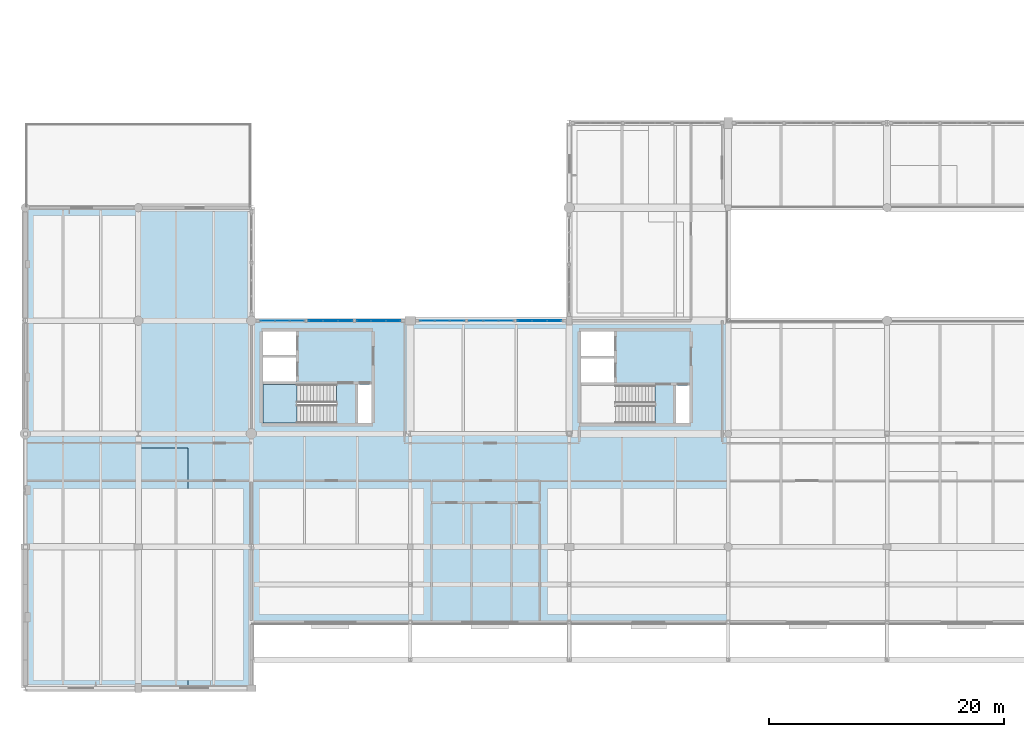
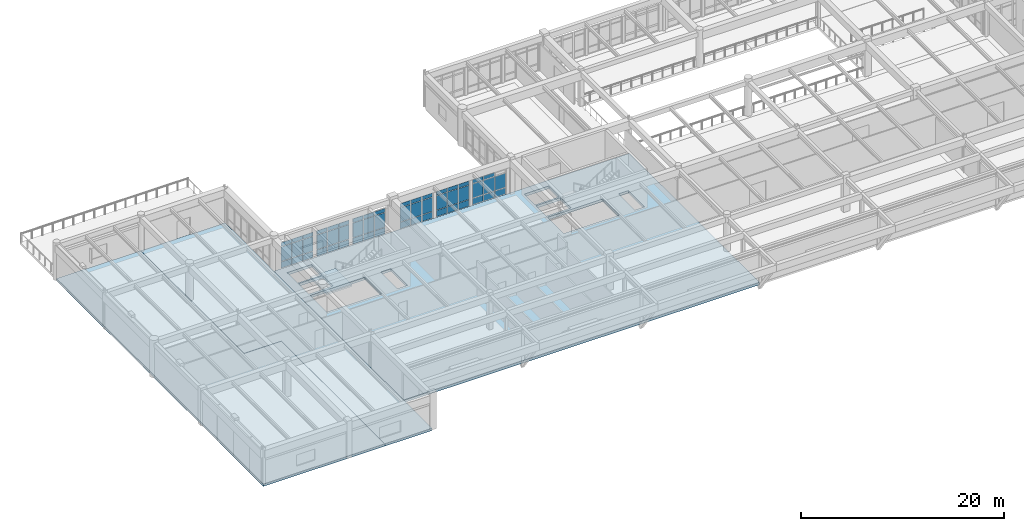
# One storey, part 51 of 80: 53 plates, 4 slabs, 7 elements without a shape of their own.
"""IFC4 building model written with IfcOpenShell, lengths in metres."""

from ifc_helpers import new_model, si_unit, direction, frame, origin, origin_2d, place, context, subcontext, project, spatial, polyline, rectangle, outline, extrude, material, layer, layer_set, type_object, element, aggregate, save


model = new_model("IFC4")

# Units and contexts
model_context = context("Model", 3, precision=1e-05, world=origin(), true_north=direction((0.0, 1.0)))
body_context = subcontext(model_context, "Body", "Model", "MODEL_VIEW")
ifc_project = project(units=[si_unit("LENGTHUNIT", "METRE"), si_unit("AREAUNIT", "SQUARE_METRE"), si_unit("VOLUMEUNIT", "CUBIC_METRE"), si_unit("PLANEANGLEUNIT", "RADIAN"), si_unit("MASSUNIT", "GRAM", prefix="KILO")], contexts=[model_context])

# Site, building, storey
site_placement = place(None, origin())
site = spatial("IfcSite", under=ifc_project, at=site_placement, CompositionType="ELEMENT")
building_placement = place(site_placement, origin())
building = spatial("IfcBuilding", under=site, at=building_placement, Name="Fikremerkos Civic Library", CompositionType="ELEMENT")
storey_placement = place(building_placement, frame((0.0, 0.0, 9.89990234375)))
storey = spatial("IfcBuildingStorey", under=building, at=storey_placement, Name="L02", CompositionType="ELEMENT", Elevation=9.89990234375)

# Curtain wall, plates
ifc_material_1 = material(Name="Anodized aluminium Frame", Category="aluminium")
ifc_layer_1 = layer(ifc_material_1, 0.159912109375, Name="Anodized aluminium Frame")
ifc_layer_set_1 = layer_set([ifc_layer_1], Name="Anodized aluminium Frame")
curtain_wall_type_1 = type_object("IfcCurtainWallType", Name="Unitised curtain wall CW-05 3800x4100", PredefinedType="USERDEFINED", material=ifc_layer_set_1)
curtain_wall_1_placement = place(storey_placement, origin())
curtain_wall_1 = element("IfcCurtainWall", 1, at=curtain_wall_1_placement, inside=storey, type_object=curtain_wall_type_1, Name="Unitised curtain wall CW-05 L02 #149", ObjectType="UNITISED CURTAIN WALL", PredefinedType="USERDEFINED")
ifc_material_2 = material(Name="Solar control double glazing", Category="glass")
ifc_layer_2 = layer(ifc_material_2, 0.028076171875, Name="Solar control double glazing")
ifc_layer_set_2 = layer_set([ifc_layer_2], Name="Solar control double glazing")
plate_type_1 = type_object("IfcPlateType", Name="Curtain glazing panel CWP-01 28", PredefinedType="CURTAIN_PANEL", material=ifc_layer_set_2)
plate_1_placement = place(storey_placement, frame((34.1533203125, 31.199951171875, 0.06005859375), z_axis=(0.0, 0.0, 1.0), x_axis=(1.0, 0.0, 0.0)))
plate_1 = element("IfcPlate", 2, at=plate_1_placement, type_object=plate_type_1, Name="CW-05 panel 1.1", PredefinedType="CURTAIN_PANEL", context=body_context, shape_type="SweptSolid", body=[
    extrude(rectangle(XDim=1.1806640625, YDim=0.028076171875, at=origin_2d()), origin(), (0.0, 0.0, 1.0), 0.760009765625),
])
plate_2_placement = place(storey_placement, frame((34.1533203125, 31.199951171875, 0.880126953125), z_axis=(0.0, 0.0, 1.0), x_axis=(1.0, 0.0, 0.0)))
plate_2 = element("IfcPlate", 3, at=plate_2_placement, type_object=plate_type_1, Name="CW-05 panel 1.2", PredefinedType="CURTAIN_PANEL", context=body_context, shape_type="SweptSolid", body=[
    extrude(rectangle(XDim=1.1806640625, YDim=0.028076171875, at=origin_2d()), origin(), (0.0, 0.0, 1.0), 1.68994140625),
])
plate_3_placement = place(storey_placement, frame((34.1533203125, 31.199951171875, 2.630126953125), z_axis=(0.0, 0.0, 1.0), x_axis=(1.0, 0.0, 0.0)))
plate_3 = element("IfcPlate", 4, at=plate_3_placement, type_object=plate_type_1, Name="CW-05 panel 1.3", PredefinedType="CURTAIN_PANEL", context=body_context, shape_type="SweptSolid", body=[
    extrude(rectangle(XDim=1.1806640625, YDim=0.028076171875, at=origin_2d()), origin(), (0.0, 0.0, 1.0), 0.4599609375),
])
plate_4_placement = place(storey_placement, frame((35.415283203125, 31.199951171875, 0.06005859375), z_axis=(0.0, 0.0, 1.0), x_axis=(1.0, 0.0, 0.0)))
plate_4 = element("IfcPlate", 5, at=plate_4_placement, type_object=plate_type_1, Name="CW-05 panel 2.1", PredefinedType="CURTAIN_PANEL", context=body_context, shape_type="SweptSolid", body=[
    extrude(rectangle(XDim=1.213134765625, YDim=0.028076171875, at=origin_2d()), origin(), (0.0, 0.0, 1.0), 0.760009765625),
])
plate_5_placement = place(storey_placement, frame((35.415283203125, 31.199951171875, 0.880126953125), z_axis=(0.0, 0.0, 1.0), x_axis=(1.0, 0.0, 0.0)))
plate_5 = element("IfcPlate", 6, at=plate_5_placement, type_object=plate_type_1, Name="CW-05 panel 2.2", PredefinedType="CURTAIN_PANEL", context=body_context, shape_type="SweptSolid", body=[
    extrude(rectangle(XDim=1.213134765625, YDim=0.028076171875, at=origin_2d()), origin(), (0.0, 0.0, 1.0), 1.68994140625),
])
plate_6_placement = place(storey_placement, frame((35.415283203125, 31.199951171875, 2.630126953125), z_axis=(0.0, 0.0, 1.0), x_axis=(1.0, 0.0, 0.0)))
plate_6 = element("IfcPlate", 7, at=plate_6_placement, type_object=plate_type_1, Name="CW-05 panel 2.3", PredefinedType="CURTAIN_PANEL", context=body_context, shape_type="SweptSolid", body=[
    extrude(rectangle(XDim=1.213134765625, YDim=0.028076171875, at=origin_2d()), origin(), (0.0, 0.0, 1.0), 0.4599609375),
])
plate_7_placement = place(storey_placement, frame((36.67724609375, 31.199951171875, 0.06005859375), z_axis=(0.0, 0.0, 1.0), x_axis=(1.0, 0.0, 0.0)))
plate_7 = element("IfcPlate", 8, at=plate_7_placement, type_object=plate_type_1, Name="CW-05 panel 3.1", PredefinedType="CURTAIN_PANEL", context=body_context, shape_type="SweptSolid", body=[
    extrude(rectangle(XDim=1.1806640625, YDim=0.028076171875, at=origin_2d()), origin(), (0.0, 0.0, 1.0), 0.760009765625),
])
plate_8_placement = place(storey_placement, frame((36.67724609375, 31.199951171875, 0.880126953125), z_axis=(0.0, 0.0, 1.0), x_axis=(1.0, 0.0, 0.0)))
plate_8 = element("IfcPlate", 9, at=plate_8_placement, type_object=plate_type_1, Name="CW-05 panel 3.2", PredefinedType="CURTAIN_PANEL", context=body_context, shape_type="SweptSolid", body=[
    extrude(rectangle(XDim=1.1806640625, YDim=0.028076171875, at=origin_2d()), origin(), (0.0, 0.0, 1.0), 1.68994140625),
])
plate_9_placement = place(storey_placement, frame((36.67724609375, 31.199951171875, 2.630126953125), z_axis=(0.0, 0.0, 1.0), x_axis=(1.0, 0.0, 0.0)))
plate_9 = element("IfcPlate", 10, at=plate_9_placement, type_object=plate_type_1, Name="CW-05 panel 3.3", PredefinedType="CURTAIN_PANEL", context=body_context, shape_type="SweptSolid", body=[
    extrude(rectangle(XDim=1.1806640625, YDim=0.028076171875, at=origin_2d()), origin(), (0.0, 0.0, 1.0), 0.4599609375),
])
aggregate(curtain_wall_1, [plate_1, plate_2, plate_3, plate_4, plate_5, plate_6, plate_7, plate_8, plate_9])

ifc_layer_3 = layer(ifc_material_1, 0.159912109375, Name="Anodized aluminium Frame")
ifc_layer_set_3 = layer_set([ifc_layer_3], Name="Anodized aluminium Frame")
curtain_wall_type_2 = type_object("IfcCurtainWallType", Name="Unitised curtain wall CW-02 3900x3600", PredefinedType="USERDEFINED", material=ifc_layer_set_3)
curtain_wall_2_placement = place(storey_placement, origin())
curtain_wall_2 = element("IfcCurtainWall", 11, at=curtain_wall_2_placement, inside=storey, type_object=curtain_wall_type_2, Name="Unitised curtain wall CW-02 L02 #146", ObjectType="UNITISED CURTAIN WALL", PredefinedType="USERDEFINED")
ifc_layer_4 = layer(ifc_material_2, 0.035888671875, Name="Solar control double glazing")
ifc_layer_set_4 = layer_set([ifc_layer_4], Name="Solar control double glazing")
plate_type_2 = type_object("IfcPlateType", Name="Curtain glazing panel CWP-02 36", PredefinedType="CURTAIN_PANEL", material=ifc_layer_set_4)
plate_10_placement = place(storey_placement, frame((20.59375, 31.199951171875, 0.070068359375), z_axis=(0.0, 0.0, 1.0), x_axis=(1.0, 0.0, 0.0)))
plate_10 = element("IfcPlate", 12, at=plate_10_placement, type_object=plate_type_2, Name="CW-02 panel 1.1", PredefinedType="CURTAIN_PANEL", context=body_context, shape_type="SweptSolid", body=[
    extrude(rectangle(XDim=1.171630859375, YDim=0.035888671875, at=origin_2d()), origin(), (0.0, 0.0, 1.0), 0.7451171875),
])
plate_11_placement = place(storey_placement, frame((20.59375, 31.199951171875, 0.885009765625), z_axis=(0.0, 0.0, 1.0), x_axis=(1.0, 0.0, 0.0)))
plate_11 = element("IfcPlate", 13, at=plate_11_placement, type_object=plate_type_2, Name="CW-02 panel 1.2", PredefinedType="CURTAIN_PANEL", context=body_context, shape_type="SweptSolid", body=[
    extrude(rectangle(XDim=1.171630859375, YDim=0.035888671875, at=origin_2d()), origin(), (0.0, 0.0, 1.0), 1.72998046875),
])
plate_12_placement = place(storey_placement, frame((20.59375, 31.199951171875, 2.68505859375), z_axis=(0.0, 0.0, 1.0), x_axis=(1.0, 0.0, 0.0)))
plate_12 = element("IfcPlate", 14, at=plate_12_placement, type_object=plate_type_2, Name="CW-02 panel 1.3", PredefinedType="CURTAIN_PANEL", context=body_context, shape_type="SweptSolid", body=[
    extrude(rectangle(XDim=1.171630859375, YDim=0.035888671875, at=origin_2d()), origin(), (0.0, 0.0, 1.0), 0.445068359375),
])
plate_13_placement = place(storey_placement, frame((21.84033203125, 31.199951171875, 0.070068359375), z_axis=(0.0, 0.0, 1.0), x_axis=(1.0, 0.0, 0.0)))
plate_13 = element("IfcPlate", 15, at=plate_13_placement, type_object=plate_type_2, Name="CW-02 panel 2.1", PredefinedType="CURTAIN_PANEL", context=body_context, shape_type="SweptSolid", body=[
    extrude(rectangle(XDim=1.20166015625, YDim=0.035888671875, at=origin_2d()), origin(), (0.0, 0.0, 1.0), 0.7451171875),
])
plate_14_placement = place(storey_placement, frame((21.84033203125, 31.199951171875, 0.885009765625), z_axis=(0.0, 0.0, 1.0), x_axis=(1.0, 0.0, 0.0)))
plate_14 = element("IfcPlate", 16, at=plate_14_placement, type_object=plate_type_2, Name="CW-02 panel 2.2", PredefinedType="CURTAIN_PANEL", context=body_context, shape_type="SweptSolid", body=[
    extrude(rectangle(XDim=1.20166015625, YDim=0.035888671875, at=origin_2d()), origin(), (0.0, 0.0, 1.0), 1.72998046875),
])
plate_15_placement = place(storey_placement, frame((21.84033203125, 31.199951171875, 2.68505859375), z_axis=(0.0, 0.0, 1.0), x_axis=(1.0, 0.0, 0.0)))
plate_15 = element("IfcPlate", 17, at=plate_15_placement, type_object=plate_type_2, Name="CW-02 panel 2.3", PredefinedType="CURTAIN_PANEL", context=body_context, shape_type="SweptSolid", body=[
    extrude(rectangle(XDim=1.20166015625, YDim=0.035888671875, at=origin_2d()), origin(), (0.0, 0.0, 1.0), 0.445068359375),
])
plate_16_placement = place(storey_placement, frame((23.0869140625, 31.199951171875, 0.070068359375), z_axis=(0.0, 0.0, 1.0), x_axis=(1.0, 0.0, 0.0)))
plate_16 = element("IfcPlate", 18, at=plate_16_placement, type_object=plate_type_2, Name="CW-02 panel 3.1", PredefinedType="CURTAIN_PANEL", context=body_context, shape_type="SweptSolid", body=[
    extrude(rectangle(XDim=1.171630859375, YDim=0.035888671875, at=origin_2d()), origin(), (0.0, 0.0, 1.0), 0.7451171875),
])
plate_17_placement = place(storey_placement, frame((23.0869140625, 31.199951171875, 0.885009765625), z_axis=(0.0, 0.0, 1.0), x_axis=(1.0, 0.0, 0.0)))
plate_17 = element("IfcPlate", 19, at=plate_17_placement, type_object=plate_type_2, Name="CW-02 panel 3.2", PredefinedType="CURTAIN_PANEL", context=body_context, shape_type="SweptSolid", body=[
    extrude(rectangle(XDim=1.171630859375, YDim=0.035888671875, at=origin_2d()), origin(), (0.0, 0.0, 1.0), 1.72998046875),
])
plate_18_placement = place(storey_placement, frame((23.0869140625, 31.199951171875, 2.68505859375), z_axis=(0.0, 0.0, 1.0), x_axis=(1.0, 0.0, 0.0)))
plate_18 = element("IfcPlate", 20, at=plate_18_placement, type_object=plate_type_2, Name="CW-02 panel 3.3", PredefinedType="CURTAIN_PANEL", context=body_context, shape_type="SweptSolid", body=[
    extrude(rectangle(XDim=1.171630859375, YDim=0.035888671875, at=origin_2d()), origin(), (0.0, 0.0, 1.0), 0.445068359375),
])
aggregate(curtain_wall_2, [plate_10, plate_11, plate_12, plate_13, plate_14, plate_15, plate_16, plate_17, plate_18])

ifc_layer_5 = layer(ifc_material_1, 0.159912109375, Name="Anodized aluminium Frame")
ifc_layer_set_5 = layer_set([ifc_layer_5], Name="Anodized aluminium Frame")
curtain_wall_type_3 = type_object("IfcCurtainWallType", Name="Unitised curtain wall CW-06 4200x4100", PredefinedType="USERDEFINED", material=ifc_layer_set_5)
curtain_wall_3_placement = place(storey_placement, origin())
curtain_wall_3 = element("IfcCurtainWall", 21, at=curtain_wall_3_placement, inside=storey, type_object=curtain_wall_type_3, Name="Unitised curtain wall CW-06 L02 #150", ObjectType="UNITISED CURTAIN WALL", PredefinedType="USERDEFINED")
plate_19_placement = place(storey_placement, frame((38.286865234375, 31.199951171875, 0.06005859375), z_axis=(0.0, 0.0, 1.0), x_axis=(1.0, 0.0, 0.0)))
plate_19 = element("IfcPlate", 22, at=plate_19_placement, type_object=plate_type_2, Name="CW-06 panel 1.1", PredefinedType="CURTAIN_PANEL", context=body_context, shape_type="SweptSolid", body=[
    extrude(rectangle(XDim=1.188232421875, YDim=0.035888671875, at=origin_2d()), origin(), (0.0, 0.0, 1.0), 0.760009765625),
])
plate_20_placement = place(storey_placement, frame((38.286865234375, 31.199951171875, 0.880126953125), z_axis=(0.0, 0.0, 1.0), x_axis=(1.0, 0.0, 0.0)))
plate_20 = element("IfcPlate", 23, at=plate_20_placement, type_object=plate_type_2, Name="CW-06 panel 1.2", PredefinedType="CURTAIN_PANEL", context=body_context, shape_type="SweptSolid", body=[
    extrude(rectangle(XDim=1.188232421875, YDim=0.035888671875, at=origin_2d()), origin(), (0.0, 0.0, 1.0), 1.68994140625),
])
plate_21_placement = place(storey_placement, frame((38.286865234375, 31.199951171875, 2.630126953125), z_axis=(0.0, 0.0, 1.0), x_axis=(1.0, 0.0, 0.0)))
plate_21 = element("IfcPlate", 24, at=plate_21_placement, type_object=plate_type_2, Name="CW-06 panel 1.3", PredefinedType="CURTAIN_PANEL", context=body_context, shape_type="SweptSolid", body=[
    extrude(rectangle(XDim=1.188232421875, YDim=0.035888671875, at=origin_2d()), origin(), (0.0, 0.0, 1.0), 0.4599609375),
])
plate_22_placement = place(storey_placement, frame((39.550048828125, 31.199951171875, 0.06005859375), z_axis=(0.0, 0.0, 1.0), x_axis=(1.0, 0.0, 0.0)))
plate_22 = element("IfcPlate", 25, at=plate_22_placement, type_object=plate_type_2, Name="CW-06 panel 2.1", PredefinedType="CURTAIN_PANEL", context=body_context, shape_type="SweptSolid", body=[
    extrude(rectangle(XDim=1.21826171875, YDim=0.035888671875, at=origin_2d()), origin(), (0.0, 0.0, 1.0), 0.760009765625),
])
plate_23_placement = place(storey_placement, frame((39.550048828125, 31.199951171875, 0.880126953125), z_axis=(0.0, 0.0, 1.0), x_axis=(1.0, 0.0, 0.0)))
plate_23 = element("IfcPlate", 26, at=plate_23_placement, type_object=plate_type_2, Name="CW-06 panel 2.2", PredefinedType="CURTAIN_PANEL", context=body_context, shape_type="SweptSolid", body=[
    extrude(rectangle(XDim=1.21826171875, YDim=0.035888671875, at=origin_2d()), origin(), (0.0, 0.0, 1.0), 1.68994140625),
])
plate_24_placement = place(storey_placement, frame((39.550048828125, 31.199951171875, 2.630126953125), z_axis=(0.0, 0.0, 1.0), x_axis=(1.0, 0.0, 0.0)))
plate_24 = element("IfcPlate", 27, at=plate_24_placement, type_object=plate_type_2, Name="CW-06 panel 2.3", PredefinedType="CURTAIN_PANEL", context=body_context, shape_type="SweptSolid", body=[
    extrude(rectangle(XDim=1.21826171875, YDim=0.035888671875, at=origin_2d()), origin(), (0.0, 0.0, 1.0), 0.4599609375),
])
plate_25_placement = place(storey_placement, frame((40.813232421875, 31.199951171875, 0.06005859375), z_axis=(0.0, 0.0, 1.0), x_axis=(1.0, 0.0, 0.0)))
plate_25 = element("IfcPlate", 28, at=plate_25_placement, type_object=plate_type_2, Name="CW-06 panel 3.1", PredefinedType="CURTAIN_PANEL", context=body_context, shape_type="SweptSolid", body=[
    extrude(rectangle(XDim=1.188232421875, YDim=0.035888671875, at=origin_2d()), origin(), (0.0, 0.0, 1.0), 0.760009765625),
])
plate_26_placement = place(storey_placement, frame((40.813232421875, 31.199951171875, 0.880126953125), z_axis=(0.0, 0.0, 1.0), x_axis=(1.0, 0.0, 0.0)))
plate_26 = element("IfcPlate", 29, at=plate_26_placement, type_object=plate_type_2, Name="CW-06 panel 3.2", PredefinedType="CURTAIN_PANEL", context=body_context, shape_type="SweptSolid", body=[
    extrude(rectangle(XDim=1.188232421875, YDim=0.035888671875, at=origin_2d()), origin(), (0.0, 0.0, 1.0), 1.68994140625),
])
plate_27_placement = place(storey_placement, frame((40.813232421875, 31.199951171875, 2.630126953125), z_axis=(0.0, 0.0, 1.0), x_axis=(1.0, 0.0, 0.0)))
plate_27 = element("IfcPlate", 30, at=plate_27_placement, type_object=plate_type_2, Name="CW-06 panel 3.3", PredefinedType="CURTAIN_PANEL", context=body_context, shape_type="SweptSolid", body=[
    extrude(rectangle(XDim=1.188232421875, YDim=0.035888671875, at=origin_2d()), origin(), (0.0, 0.0, 1.0), 0.4599609375),
])
aggregate(curtain_wall_3, [plate_19, plate_20, plate_21, plate_22, plate_23, plate_24, plate_25, plate_26, plate_27])

ifc_layer_6 = layer(ifc_material_1, 0.159912109375, Name="Anodized aluminium Frame")
ifc_layer_set_6 = layer_set([ifc_layer_6], Name="Anodized aluminium Frame")
curtain_wall_type_4 = type_object("IfcCurtainWallType", Name="Unitised curtain wall CW-03 4100x3600", PredefinedType="USERDEFINED", material=ifc_layer_set_6)
curtain_wall_4_placement = place(storey_placement, origin())
curtain_wall_4 = element("IfcCurtainWall", 31, at=curtain_wall_4_placement, inside=storey, type_object=curtain_wall_type_4, Name="Unitised curtain wall CW-03 L02 #147", ObjectType="UNITISED CURTAIN WALL", PredefinedType="USERDEFINED")
ifc_material_3 = material(Name="Insulated aluminium spandrel", Category="aluminium")
ifc_layer_7 = layer(ifc_material_3, 0.044921875, Name="Insulated aluminium spandrel")
ifc_layer_set_7 = layer_set([ifc_layer_7], Name="Insulated aluminium spandrel")
plate_type_3 = type_object("IfcPlateType", Name="Curtain spandrel panel CSP-01 45", PredefinedType="CURTAIN_PANEL", material=ifc_layer_set_7)
plate_28_placement = place(storey_placement, frame((24.678466796875, 31.199951171875, 0.065185546875), z_axis=(0.0, 0.0, 1.0), x_axis=(1.0, 0.0, 0.0)))
plate_28 = element("IfcPlate", 32, at=plate_28_placement, type_object=plate_type_3, Name="CW-03 panel 1.1", PredefinedType="CURTAIN_PANEL", context=body_context, shape_type="SweptSolid", body=[
    extrude(rectangle(XDim=1.171630859375, YDim=0.044921875, at=origin_2d()), origin(), (0.0, 0.0, 1.0), 0.75244140625),
])
plate_29_placement = place(storey_placement, frame((24.678466796875, 31.199951171875, 0.88232421875), z_axis=(0.0, 0.0, 1.0), x_axis=(1.0, 0.0, 0.0)))
plate_29 = element("IfcPlate", 33, at=plate_29_placement, type_object=plate_type_3, Name="CW-03 panel 1.2", PredefinedType="CURTAIN_PANEL", context=body_context, shape_type="SweptSolid", body=[
    extrude(rectangle(XDim=1.171630859375, YDim=0.044921875, at=origin_2d()), origin(), (0.0, 0.0, 1.0), 1.735107421875),
])
plate_30_placement = place(storey_placement, frame((24.678466796875, 31.199951171875, 2.6826171875), z_axis=(0.0, 0.0, 1.0), x_axis=(1.0, 0.0, 0.0)))
plate_30 = element("IfcPlate", 34, at=plate_30_placement, type_object=plate_type_3, Name="CW-03 panel 1.3", PredefinedType="CURTAIN_PANEL", context=body_context, shape_type="SweptSolid", body=[
    extrude(rectangle(XDim=1.171630859375, YDim=0.044921875, at=origin_2d()), origin(), (0.0, 0.0, 1.0), 0.452392578125),
])
plate_31_placement = place(storey_placement, frame((25.925048828125, 31.199951171875, 0.065185546875), z_axis=(0.0, 0.0, 1.0), x_axis=(1.0, 0.0, 0.0)))
plate_31 = element("IfcPlate", 35, at=plate_31_placement, type_object=plate_type_3, Name="CW-03 panel 2.1", PredefinedType="CURTAIN_PANEL", context=body_context, shape_type="SweptSolid", body=[
    extrude(rectangle(XDim=1.20166015625, YDim=0.044921875, at=origin_2d()), origin(), (0.0, 0.0, 1.0), 0.75244140625),
])
plate_32_placement = place(storey_placement, frame((25.925048828125, 31.199951171875, 0.88232421875), z_axis=(0.0, 0.0, 1.0), x_axis=(1.0, 0.0, 0.0)))
plate_32 = element("IfcPlate", 36, at=plate_32_placement, type_object=plate_type_3, Name="CW-03 panel 2.2", PredefinedType="CURTAIN_PANEL", context=body_context, shape_type="SweptSolid", body=[
    extrude(rectangle(XDim=1.20166015625, YDim=0.044921875, at=origin_2d()), origin(), (0.0, 0.0, 1.0), 1.735107421875),
])
plate_33_placement = place(storey_placement, frame((25.925048828125, 31.199951171875, 2.6826171875), z_axis=(0.0, 0.0, 1.0), x_axis=(1.0, 0.0, 0.0)))
plate_33 = element("IfcPlate", 37, at=plate_33_placement, type_object=plate_type_3, Name="CW-03 panel 2.3", PredefinedType="CURTAIN_PANEL", context=body_context, shape_type="SweptSolid", body=[
    extrude(rectangle(XDim=1.20166015625, YDim=0.044921875, at=origin_2d()), origin(), (0.0, 0.0, 1.0), 0.452392578125),
])
plate_34_placement = place(storey_placement, frame((27.171630859375, 31.199951171875, 0.065185546875), z_axis=(0.0, 0.0, 1.0), x_axis=(1.0, 0.0, 0.0)))
plate_34 = element("IfcPlate", 38, at=plate_34_placement, type_object=plate_type_3, Name="CW-03 panel 3.1", PredefinedType="CURTAIN_PANEL", context=body_context, shape_type="SweptSolid", body=[
    extrude(rectangle(XDim=1.171630859375, YDim=0.044921875, at=origin_2d()), origin(), (0.0, 0.0, 1.0), 0.75244140625),
])
plate_35_placement = place(storey_placement, frame((27.171630859375, 31.199951171875, 0.88232421875), z_axis=(0.0, 0.0, 1.0), x_axis=(1.0, 0.0, 0.0)))
plate_35 = element("IfcPlate", 39, at=plate_35_placement, type_object=plate_type_3, Name="CW-03 panel 3.2", PredefinedType="CURTAIN_PANEL", context=body_context, shape_type="SweptSolid", body=[
    extrude(rectangle(XDim=1.171630859375, YDim=0.044921875, at=origin_2d()), origin(), (0.0, 0.0, 1.0), 1.735107421875),
])
plate_36_placement = place(storey_placement, frame((27.171630859375, 31.199951171875, 2.6826171875), z_axis=(0.0, 0.0, 1.0), x_axis=(1.0, 0.0, 0.0)))
plate_36 = element("IfcPlate", 40, at=plate_36_placement, type_object=plate_type_3, Name="CW-03 panel 3.3", PredefinedType="CURTAIN_PANEL", context=body_context, shape_type="SweptSolid", body=[
    extrude(rectangle(XDim=1.171630859375, YDim=0.044921875, at=origin_2d()), origin(), (0.0, 0.0, 1.0), 0.452392578125),
])
aggregate(curtain_wall_4, [plate_28, plate_29, plate_30, plate_31, plate_32, plate_33, plate_34, plate_35, plate_36])

ifc_layer_8 = layer(ifc_material_1, 0.159912109375, Name="Anodized aluminium Frame")
ifc_layer_set_8 = layer_set([ifc_layer_8], Name="Anodized aluminium Frame")
curtain_wall_type_5 = type_object("IfcCurtainWallType", Name="Unitised curtain wall CW-07 3500x4100", PredefinedType="USERDEFINED", material=ifc_layer_set_8)
curtain_wall_5_placement = place(storey_placement, origin())
curtain_wall_5 = element("IfcCurtainWall", 41, at=curtain_wall_5_placement, inside=storey, type_object=curtain_wall_type_5, Name="Unitised curtain wall CW-07 L02 #151", ObjectType="UNITISED CURTAIN WALL", PredefinedType="USERDEFINED")
plate_37_placement = place(storey_placement, frame((42.42138671875, 31.199951171875, 0.070068359375), z_axis=(0.0, 0.0, 1.0), x_axis=(1.0, 0.0, 0.0)))
plate_37 = element("IfcPlate", 42, at=plate_37_placement, type_object=plate_type_3, Name="CW-07 panel 1.1", PredefinedType="CURTAIN_PANEL", context=body_context, shape_type="SweptSolid", body=[
    extrude(rectangle(XDim=1.188232421875, YDim=0.044921875, at=origin_2d()), origin(), (0.0, 0.0, 1.0), 0.7451171875),
])
plate_38_placement = place(storey_placement, frame((42.42138671875, 31.199951171875, 0.88525390625), z_axis=(0.0, 0.0, 1.0), x_axis=(1.0, 0.0, 0.0)))
plate_38 = element("IfcPlate", 43, at=plate_38_placement, type_object=plate_type_3, Name="CW-07 panel 1.2", PredefinedType="CURTAIN_PANEL", context=body_context, shape_type="SweptSolid", body=[
    extrude(rectangle(XDim=1.188232421875, YDim=0.044921875, at=origin_2d()), origin(), (0.0, 0.0, 1.0), 1.679931640625),
])
plate_39_placement = place(storey_placement, frame((42.42138671875, 31.199951171875, 2.63525390625), z_axis=(0.0, 0.0, 1.0), x_axis=(1.0, 0.0, 0.0)))
plate_39 = element("IfcPlate", 44, at=plate_39_placement, type_object=plate_type_3, Name="CW-07 panel 1.3", PredefinedType="CURTAIN_PANEL", context=body_context, shape_type="SweptSolid", body=[
    extrude(rectangle(XDim=1.188232421875, YDim=0.044921875, at=origin_2d()), origin(), (0.0, 0.0, 1.0), 0.445068359375),
])
plate_40_placement = place(storey_placement, frame((43.6845703125, 31.199951171875, 0.070068359375), z_axis=(0.0, 0.0, 1.0), x_axis=(1.0, 0.0, 0.0)))
plate_40 = element("IfcPlate", 45, at=plate_40_placement, type_object=plate_type_3, Name="CW-07 panel 2.1", PredefinedType="CURTAIN_PANEL", context=body_context, shape_type="SweptSolid", body=[
    extrude(rectangle(XDim=1.21826171875, YDim=0.044921875, at=origin_2d()), origin(), (0.0, 0.0, 1.0), 0.7451171875),
])
plate_41_placement = place(storey_placement, frame((43.6845703125, 31.199951171875, 0.88525390625), z_axis=(0.0, 0.0, 1.0), x_axis=(1.0, 0.0, 0.0)))
plate_41 = element("IfcPlate", 46, at=plate_41_placement, type_object=plate_type_3, Name="CW-07 panel 2.2", PredefinedType="CURTAIN_PANEL", context=body_context, shape_type="SweptSolid", body=[
    extrude(rectangle(XDim=1.21826171875, YDim=0.044921875, at=origin_2d()), origin(), (0.0, 0.0, 1.0), 1.679931640625),
])
plate_42_placement = place(storey_placement, frame((43.6845703125, 31.199951171875, 2.63525390625), z_axis=(0.0, 0.0, 1.0), x_axis=(1.0, 0.0, 0.0)))
plate_42 = element("IfcPlate", 47, at=plate_42_placement, type_object=plate_type_3, Name="CW-07 panel 2.3", PredefinedType="CURTAIN_PANEL", context=body_context, shape_type="SweptSolid", body=[
    extrude(rectangle(XDim=1.21826171875, YDim=0.044921875, at=origin_2d()), origin(), (0.0, 0.0, 1.0), 0.445068359375),
])
plate_43_placement = place(storey_placement, frame((44.947998046875, 31.199951171875, 0.070068359375), z_axis=(0.0, 0.0, 1.0), x_axis=(1.0, 0.0, 0.0)))
plate_43 = element("IfcPlate", 48, at=plate_43_placement, type_object=plate_type_3, Name="CW-07 panel 3.1", PredefinedType="CURTAIN_PANEL", context=body_context, shape_type="SweptSolid", body=[
    extrude(rectangle(XDim=1.188232421875, YDim=0.044921875, at=origin_2d()), origin(), (0.0, 0.0, 1.0), 0.7451171875),
])
plate_44_placement = place(storey_placement, frame((44.947998046875, 31.199951171875, 0.88525390625), z_axis=(0.0, 0.0, 1.0), x_axis=(1.0, 0.0, 0.0)))
plate_44 = element("IfcPlate", 49, at=plate_44_placement, type_object=plate_type_3, Name="CW-07 panel 3.2", PredefinedType="CURTAIN_PANEL", context=body_context, shape_type="SweptSolid", body=[
    extrude(rectangle(XDim=1.188232421875, YDim=0.044921875, at=origin_2d()), origin(), (0.0, 0.0, 1.0), 1.679931640625),
])
aggregate(curtain_wall_5, [plate_37, plate_38, plate_39, plate_40, plate_41, plate_42, plate_43, plate_44])

ifc_layer_9 = layer(ifc_material_1, 0.159912109375, Name="Anodized aluminium Frame")
ifc_layer_set_9 = layer_set([ifc_layer_9], Name="Anodized aluminium Frame")
curtain_wall_type_6 = type_object("IfcCurtainWallType", Name="Unitised curtain wall CW-04 3400x3600", PredefinedType="USERDEFINED", material=ifc_layer_set_9)
curtain_wall_6_placement = place(storey_placement, origin())
curtain_wall_6 = element("IfcCurtainWall", 50, at=curtain_wall_6_placement, inside=storey, type_object=curtain_wall_type_6, Name="Unitised curtain wall CW-04 L02 #148", ObjectType="UNITISED CURTAIN WALL", PredefinedType="USERDEFINED")
ifc_layer_10 = layer(ifc_material_3, 0.054931640625, Name="Insulated aluminium spandrel")
ifc_layer_set_10 = layer_set([ifc_layer_10], Name="Insulated aluminium spandrel")
plate_type_4 = type_object("IfcPlateType", Name="Curtain spandrel panel CSP-02 55", PredefinedType="CURTAIN_PANEL", material=ifc_layer_set_10)
plate_45_placement = place(storey_placement, frame((28.76318359375, 31.199951171875, 0.065185546875), z_axis=(0.0, 0.0, 1.0), x_axis=(1.0, 0.0, 0.0)))
plate_45 = element("IfcPlate", 51, at=plate_45_placement, type_object=plate_type_4, Name="CW-04 panel 1.1", PredefinedType="CURTAIN_PANEL", context=body_context, shape_type="SweptSolid", body=[
    extrude(rectangle(XDim=1.171630859375, YDim=0.054931640625, at=origin_2d()), origin(), (0.0, 0.0, 1.0), 0.75244140625),
])
plate_46_placement = place(storey_placement, frame((28.76318359375, 31.199951171875, 0.88232421875), z_axis=(0.0, 0.0, 1.0), x_axis=(1.0, 0.0, 0.0)))
plate_46 = element("IfcPlate", 52, at=plate_46_placement, type_object=plate_type_4, Name="CW-04 panel 1.2", PredefinedType="CURTAIN_PANEL", context=body_context, shape_type="SweptSolid", body=[
    extrude(rectangle(XDim=1.171630859375, YDim=0.054931640625, at=origin_2d()), origin(), (0.0, 0.0, 1.0), 1.735107421875),
])
plate_47_placement = place(storey_placement, frame((28.76318359375, 31.199951171875, 2.6826171875), z_axis=(0.0, 0.0, 1.0), x_axis=(1.0, 0.0, 0.0)))
plate_47 = element("IfcPlate", 53, at=plate_47_placement, type_object=plate_type_4, Name="CW-04 panel 1.3", PredefinedType="CURTAIN_PANEL", context=body_context, shape_type="SweptSolid", body=[
    extrude(rectangle(XDim=1.171630859375, YDim=0.054931640625, at=origin_2d()), origin(), (0.0, 0.0, 1.0), 0.452392578125),
])
plate_48_placement = place(storey_placement, frame((30.009765625, 31.199951171875, 0.065185546875), z_axis=(0.0, 0.0, 1.0), x_axis=(1.0, 0.0, 0.0)))
plate_48 = element("IfcPlate", 54, at=plate_48_placement, type_object=plate_type_4, Name="CW-04 panel 2.1", PredefinedType="CURTAIN_PANEL", context=body_context, shape_type="SweptSolid", body=[
    extrude(rectangle(XDim=1.20166015625, YDim=0.054931640625, at=origin_2d()), origin(), (0.0, 0.0, 1.0), 0.75244140625),
])
plate_49_placement = place(storey_placement, frame((30.009765625, 31.199951171875, 0.88232421875), z_axis=(0.0, 0.0, 1.0), x_axis=(1.0, 0.0, 0.0)))
plate_49 = element("IfcPlate", 55, at=plate_49_placement, type_object=plate_type_4, Name="CW-04 panel 2.2", PredefinedType="CURTAIN_PANEL", context=body_context, shape_type="SweptSolid", body=[
    extrude(rectangle(XDim=1.20166015625, YDim=0.054931640625, at=origin_2d()), origin(), (0.0, 0.0, 1.0), 1.735107421875),
])
plate_50_placement = place(storey_placement, frame((30.009765625, 31.199951171875, 2.6826171875), z_axis=(0.0, 0.0, 1.0), x_axis=(1.0, 0.0, 0.0)))
plate_50 = element("IfcPlate", 56, at=plate_50_placement, type_object=plate_type_4, Name="CW-04 panel 2.3", PredefinedType="CURTAIN_PANEL", context=body_context, shape_type="SweptSolid", body=[
    extrude(rectangle(XDim=1.20166015625, YDim=0.054931640625, at=origin_2d()), origin(), (0.0, 0.0, 1.0), 0.452392578125),
])
plate_51_placement = place(storey_placement, frame((31.256103515625, 31.199951171875, 0.065185546875), z_axis=(0.0, 0.0, 1.0), x_axis=(1.0, 0.0, 0.0)))
plate_51 = element("IfcPlate", 57, at=plate_51_placement, type_object=plate_type_4, Name="CW-04 panel 3.1", PredefinedType="CURTAIN_PANEL", context=body_context, shape_type="SweptSolid", body=[
    extrude(rectangle(XDim=1.171630859375, YDim=0.054931640625, at=origin_2d()), origin(), (0.0, 0.0, 1.0), 0.75244140625),
])
plate_52_placement = place(storey_placement, frame((31.256103515625, 31.199951171875, 0.88232421875), z_axis=(0.0, 0.0, 1.0), x_axis=(1.0, 0.0, 0.0)))
plate_52 = element("IfcPlate", 58, at=plate_52_placement, type_object=plate_type_4, Name="CW-04 panel 3.2", PredefinedType="CURTAIN_PANEL", context=body_context, shape_type="SweptSolid", body=[
    extrude(rectangle(XDim=1.171630859375, YDim=0.054931640625, at=origin_2d()), origin(), (0.0, 0.0, 1.0), 1.735107421875),
])
plate_53_placement = place(storey_placement, frame((31.256103515625, 31.199951171875, 2.6826171875), z_axis=(0.0, 0.0, 1.0), x_axis=(1.0, 0.0, 0.0)))
plate_53 = element("IfcPlate", 59, at=plate_53_placement, type_object=plate_type_4, Name="CW-04 panel 3.3", PredefinedType="CURTAIN_PANEL", context=body_context, shape_type="SweptSolid", body=[
    extrude(rectangle(XDim=1.171630859375, YDim=0.054931640625, at=origin_2d()), origin(), (0.0, 0.0, 1.0), 0.452392578125),
])
aggregate(curtain_wall_6, [plate_45, plate_46, plate_47, plate_48, plate_49, plate_50, plate_51, plate_52, plate_53])

# Stair, slab
ifc_material_4 = material(Name="Concrete C40/50", Category="concrete")
stair_type = type_object("IfcStairType", Name="Half turn stair ST-HT-03 W1550 H4500", PredefinedType="HALF_TURN_STAIR", material=ifc_material_4)
stair_placement = place(storey_placement, origin())
stair = element("IfcStair", 60, at=stair_placement, inside=storey, type_object=stair_type, Name="L02 ST-K1", PredefinedType="HALF_TURN_STAIR")
ifc_layer_11 = layer(ifc_material_4, 0.199951171875, Name="Concrete C40/50")
ifc_layer_set_11 = layer_set([ifc_layer_11], Name="Concrete C40/50")
slab_type_1 = type_object("IfcSlabType", Name="Stair landing slab SLS-01 200", PredefinedType="LANDING", material=ifc_layer_set_11)
slab_1_placement = place(storey_placement, frame((0.0, 0.0, 2.050048828125)))
slab_1 = element("IfcSlab", 61, at=slab_1_placement, type_object=slab_type_1, Name="ST-K1 landing 1", PredefinedType="LANDING", context=body_context, shape_type="SweptSolid", body=[
    extrude(outline(polyline([(23.090087890625, 25.800048828125), (20.199951171875, 25.800048828125), (20.199951171875, 22.5), (23.090087890625, 22.5), (23.090087890625, 25.800048828125)])), origin(), (0.0, 0.0, 1.0), 0.199951171875),
])
aggregate(stair, [slab_1])

# Slabs
ifc_layer_12 = layer(ifc_material_4, 0.320068359375, Name="Concrete C40/50")
ifc_layer_set_12 = layer_set([ifc_layer_12], Name="Concrete C40/50")
slab_type_2 = type_object("IfcSlabType", Name="Suspended floor slab SFS-02 320", PredefinedType="FLOOR", material=ifc_layer_set_12)
slab_2_placement = place(storey_placement, frame((0.0, 0.0, -0.31982421875)))
element("IfcSlab", 62, at=slab_2_placement, inside=storey, type_object=slab_type_2, Name="Floor slab SFS-02 SLB-L02-V4-C-1", PredefinedType="FLOOR", context=body_context, shape_type="SweptSolid", body=[
    extrude(outline(polyline([(19.199951171875, 5.60009765625), (59.699951171875, 5.60009765625), (59.699951171875, 31.199951171875), (19.199951171875, 31.199951171875), (19.199951171875, 5.60009765625)]), holes=[polyline([(20.199951171875, 22.5), (26.449951171875, 22.5), (26.449951171875, 25.800048828125), (20.199951171875, 25.800048828125), (20.199951171875, 22.5)]), polyline([(20.199951171875, 26.06005859375), (23.0, 26.06005859375), (23.0, 28.10009765625), (20.199951171875, 28.10009765625), (20.199951171875, 26.06005859375)]), polyline([(20.199951171875, 28.260009765625), (23.0, 28.260009765625), (23.0, 30.300048828125), (20.199951171875, 30.300048828125), (20.199951171875, 28.260009765625)]), polyline([(28.260009765625, 22.5), (29.39990234375, 22.5), (29.39990234375, 25.800048828125), (28.260009765625, 25.800048828125), (28.260009765625, 22.5)]), polyline([(47.199951171875, 22.5), (53.5, 22.5), (53.5, 25.699951171875), (47.199951171875, 25.699951171875), (47.199951171875, 22.5)]), polyline([(47.199951171875, 25.9599609375), (50.0, 25.9599609375), (50.0, 28.0), (47.199951171875, 28.0), (47.199951171875, 25.9599609375)]), polyline([(47.199951171875, 28.199951171875), (50.0, 28.199951171875), (50.0, 30.300048828125), (47.199951171875, 30.300048828125), (47.199951171875, 28.199951171875)]), polyline([(55.260009765625, 22.5), (56.39990234375, 22.5), (56.39990234375, 25.699951171875), (55.260009765625, 25.699951171875), (55.260009765625, 22.5)])]), origin(), (0.0, 0.0, 1.0), 0.31982421875),
])
ifc_layer_13 = layer(ifc_material_4, 0.280029296875, Name="Concrete C40/50")
ifc_layer_set_13 = layer_set([ifc_layer_13], Name="Concrete C40/50")
slab_type_3 = type_object("IfcSlabType", Name="Suspended floor slab SFS-04 280", PredefinedType="FLOOR", material=ifc_layer_set_13)
slab_3_placement = place(storey_placement, frame((0.0, 0.0, -0.27978515625)))
element("IfcSlab", 63, at=slab_3_placement, inside=storey, type_object=slab_type_3, Name="Floor slab SFS-04 SLB-L02-V5-S-1L1", PredefinedType="FLOOR", context=body_context, shape_type="SweptSolid", body=[
    extrude(outline(polyline([(0.0, 0.0), (13.820068359375, 0.0), (13.820068359375, 20.39599609375), (9.595947265625, 20.39599609375), (9.595947265625, 40.800048828125), (0.0, 40.800048828125), (0.0, 0.0)])), origin(), (0.0, 0.0, 1.0), 0.27978515625),
])
slab_4_placement = place(storey_placement, frame((0.0, 0.0, -0.27978515625)))
element("IfcSlab", 64, at=slab_4_placement, inside=storey, type_object=slab_type_3, Name="Floor slab SFS-04 SLB-L02-V5-S-1L2", PredefinedType="FLOOR", context=body_context, shape_type="SweptSolid", body=[
    extrude(outline(polyline([(13.827880859375, 0.0), (19.199951171875, 0.0), (19.199951171875, 40.800048828125), (9.60400390625, 40.800048828125), (9.60400390625, 20.404052734375), (13.827880859375, 20.404052734375), (13.827880859375, 0.0)])), origin(), (0.0, 0.0, 1.0), 0.27978515625),
])

save(model, "model.ifc")
